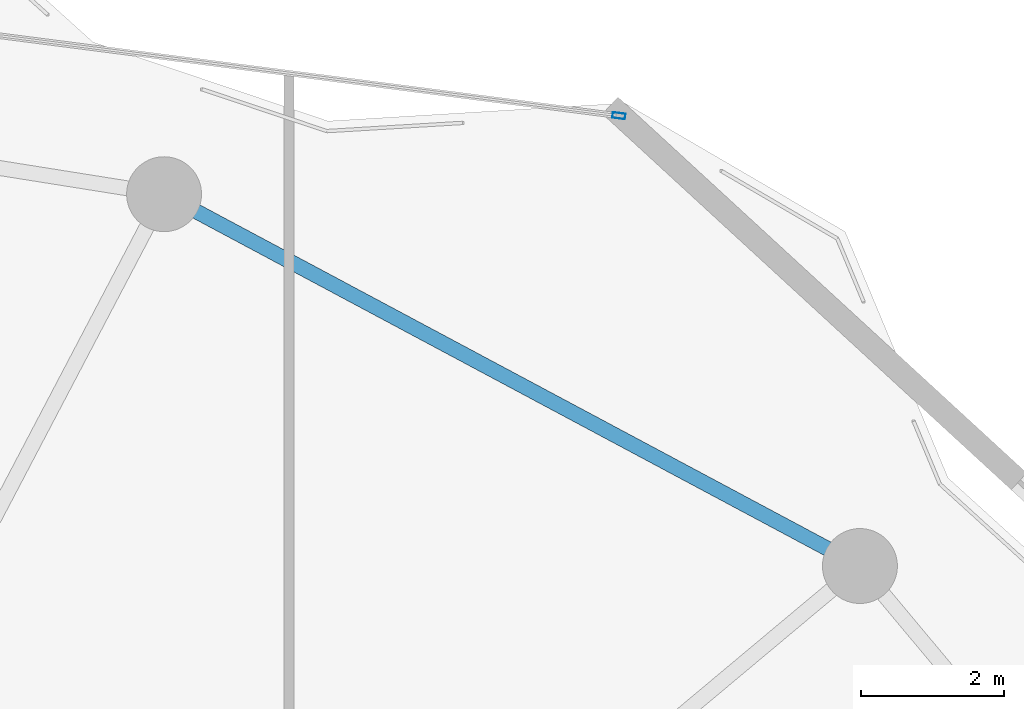
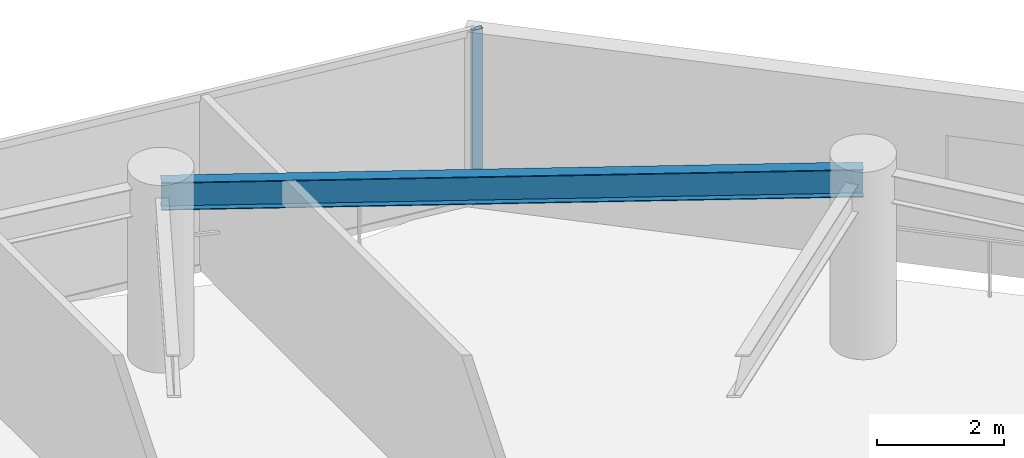
# One storey, part 23 of 31: 1 beam, 1 member, 1 element without a shape of its own.
"""IFC4 building model written with IfcOpenShell, lengths in metres."""

import ifcopenshell
import ifcopenshell.guid

model = None  # the IFC model being written
_history = None  # IfcOwnerHistory: only IFC2X3 demands one
_inside = {}  # id of a spatial element -> (the spatial element, [elements in it])
_under = {}  # id of a project, library or spatial element -> (it, [spatial elements below it])
_declared = {}  # id of a project -> (the project, [libraries it declares])
_typed = {}  # id of a type object -> (the type object, [elements of that type])
_made_of = {}  # id of a material, layer set ... -> (it, [elements and type objects made of it])


def new_model(schema):
    """Start an empty IFC model of exactly this schema.

    Asked for "IFC4X3", IfcOpenShell would pick the latest addendum, in which some entities
    have other attributes; the version numbers below select the first issue.
    IFC2X3 requires an IfcOwnerHistory on every rooted entity: one is made here for all.
    """
    global model, _history
    if schema == "IFC4X3":
        model = ifcopenshell.file(schema_version=(4, 3, 0, 0))
    else:
        model = ifcopenshell.file(schema=schema)
    _inside.clear()
    _under.clear()
    _declared.clear()
    _typed.clear()
    _made_of.clear()
    _history = None
    if model.schema == "IFC2X3":
        org = make("IfcOrganization", Name="unknown")
        user = make(
            "IfcPersonAndOrganization",
            ThePerson=make("IfcPerson", FamilyName="unknown"),
            TheOrganization=org,
        )
        app = make(
            "IfcApplication",
            ApplicationDeveloper=org,
            Version="unknown",
            ApplicationFullName="unknown",
            ApplicationIdentifier="unknown",
        )
        _history = make(
            "IfcOwnerHistory",
            OwningUser=user,
            OwningApplication=app,
            ChangeAction="ADDED",
            CreationDate=0,
        )
    return model


def make(cls, **values):
    """One entity of the class cls with the attributes given. An attribute that is None is left unset."""
    return model.create_entity(
        cls, **{name: value for name, value in values.items() if value is not None}
    )


def rooted(cls, **values):
    """An entity with a GlobalId (a new one), such as an element, a storey or a relation."""
    return make(cls, GlobalId=ifcopenshell.guid.new(), OwnerHistory=_history, **values)


def si_unit(unit_type, name, prefix=None):
    """IfcSIUnit, for example si_unit("LENGTHUNIT", "METRE", prefix="MILLI")."""
    return make("IfcSIUnit", UnitType=unit_type, Prefix=prefix, Name=name)


def assignment(units):
    """IfcUnitAssignment: the units of a project."""
    return None if units is None else make("IfcUnitAssignment", Units=units)


def point(xyz):
    """IfcCartesianPoint."""
    return None if xyz is None else make("IfcCartesianPoint", Coordinates=xyz)


def direction(xyz):
    """IfcDirection."""
    return None if xyz is None else make("IfcDirection", DirectionRatios=xyz)


def frame(location, z_axis=None, x_axis=None):
    """IfcAxis2Placement3D, a coordinate frame: its origin and axes. An axis left out is left unset."""
    return make(
        "IfcAxis2Placement3D",
        Location=point(location),
        Axis=direction(z_axis),
        RefDirection=direction(x_axis),
    )


def frame_2d(location, x_axis=None):
    """IfcAxis2Placement2D, a coordinate frame in the plane: its origin and x axis."""
    return make(
        "IfcAxis2Placement2D", Location=point(location), RefDirection=direction(x_axis)
    )


def origin():
    """The frame at (0, 0, 0) with its axes left unset."""
    return frame((0.0, 0.0, 0.0))


def origin_2d():
    """The frame at (0, 0) in the plane with its x axis left unset."""
    return frame_2d((0.0, 0.0))


def place(relative_to, where):
    """IfcLocalPlacement: puts the frame where relative to a parent placement (None: the world)."""
    return make(
        "IfcLocalPlacement", PlacementRelTo=relative_to, RelativePlacement=where
    )


def context(
    kind, dimensions, precision=None, world=None, true_north=None, identifier=None
):
    """IfcGeometricRepresentationContext, for example the 3D "Model" context."""
    return make(
        "IfcGeometricRepresentationContext",
        ContextIdentifier=identifier,
        ContextType=kind,
        CoordinateSpaceDimension=dimensions,
        Precision=precision,
        WorldCoordinateSystem=world,
        TrueNorth=true_north,
    )


def subcontext(parent, identifier, kind, view, scale=None):
    """IfcGeometricRepresentationSubContext, for example "Body" below "Model"."""
    return make(
        "IfcGeometricRepresentationSubContext",
        ContextIdentifier=identifier,
        ContextType=kind,
        ParentContext=parent,
        TargetScale=scale,
        TargetView=view,
    )


def project(units=None, contexts=None):
    """IfcProject with its units and contexts."""
    return rooted(
        "IfcProject",
        Name="project",
        RepresentationContexts=contexts,
        UnitsInContext=assignment(units),
    )


def spatial(cls, under=None, at=None, **own):
    """A site, building, storey or space (cls), placed at a placement, below another one or the project."""
    s = rooted(cls, ObjectPlacement=at, **own)
    if under is not None:
        _under.setdefault(under.id(), (under, []))[1].append(s)
    return s


def profile(cls, at=None, kind="AREA", **sizes):
    """A parametric profile (cls). Its sizes go by their IFC names, for example OverallWidth=200.0."""
    return make(cls, ProfileType=kind, Position=at, **sizes)


def hollow_rectangle(**sizes):
    """IfcRectangleHollowProfileDef."""
    return profile("IfcRectangleHollowProfileDef", **sizes)


def i_section(**sizes):
    """IfcIShapeProfileDef."""
    return profile("IfcIShapeProfileDef", **sizes)


def extrude(swept, where, along, depth):
    """IfcExtrudedAreaSolid: the profile swept, set in the frame where, extruded along a direction by depth."""
    return make(
        "IfcExtrudedAreaSolid",
        SweptArea=swept,
        Position=where,
        ExtrudedDirection=direction(along),
        Depth=depth,
    )


def shape(context_of_items, identifier, shape_type, items):
    """IfcShapeRepresentation: the items that make up one representation, for example the "Body"."""
    return make(
        "IfcShapeRepresentation",
        ContextOfItems=context_of_items,
        RepresentationIdentifier=identifier,
        RepresentationType=shape_type,
        Items=items,
    )


def material(Name=None, Category=None):
    """IfcMaterial."""
    return make("IfcMaterial", Name=Name, Category=Category)


def layer(
    of_material, thickness, ventilated=None, Name=None, Category=None, Priority=None
):
    """IfcMaterialLayer: one layer of a wall or slab, of a material (None: an air gap)."""
    return make(
        "IfcMaterialLayer",
        Material=of_material,
        LayerThickness=thickness,
        IsVentilated=ventilated,
        Name=Name,
        Category=Category,
        Priority=Priority,
    )


def layer_set(layers, Name=None):
    """IfcMaterialLayerSet."""
    return make("IfcMaterialLayerSet", MaterialLayers=layers, LayerSetName=Name)


def material_profile(
    of_material, cross_section, Name=None, Category=None, Priority=None
):
    """IfcMaterialProfile: a cross section and its material."""
    return make(
        "IfcMaterialProfile",
        Name=Name,
        Material=of_material,
        Profile=cross_section,
        Priority=Priority,
        Category=Category,
    )


def profile_set(profiles, Name=None, composite=None):
    """IfcMaterialProfileSet."""
    return make(
        "IfcMaterialProfileSet",
        Name=Name,
        MaterialProfiles=profiles,
        CompositeProfile=composite,
    )


def made_of(thing, what):
    """Note that an element or type object is made of a material, layer set ...; save() writes the relation."""
    if what is not None:
        _made_of.setdefault(what.id(), (what, []))[1].append(thing)
    return thing


def type_object(cls, material=None, **own):
    """A type object (cls), such as IfcWallType, which elements share."""
    return made_of(rooted(cls, **own), material)


def element(
    cls,
    number,
    at=None,
    inside=None,
    cuts=None,
    type_object=None,
    material=None,
    context=None,
    identifier="Body",
    shape_type=None,
    held_by="IfcProductDefinitionShape",
    body=None,
    shapes=None,
    **own,
):
    """One element of the class cls, such as IfcWall. Its Tag is "e" and its number.

    at: its placement. inside: the storey or other place that contains it. cuts: it is an
    opening in that element (IfcRelVoidsElement). A single representation is given by context,
    identifier, shape_type and body (its items); several are given by shapes. held_by: the class
    of the entity that holds the representations. save() writes the other relations.
    """
    e = rooted(cls, Tag="e%d" % number, ObjectPlacement=at, **own)
    if body is not None:
        shapes = [shape(context, identifier, shape_type, body)]
    if shapes is not None:
        e.Representation = make(held_by, Representations=shapes)
    if inside is not None:
        _inside.setdefault(inside.id(), (inside, []))[1].append(e)
    if cuts is not None:
        rooted(
            "IfcRelVoidsElement", RelatingBuildingElement=cuts, RelatedOpeningElement=e
        )
    if type_object is not None:
        _typed.setdefault(type_object.id(), (type_object, []))[1].append(e)
    return made_of(e, material)


def aggregate(whole, parts):
    """IfcRelAggregates: a whole, such as a stair, and the parts it consists of."""
    return rooted("IfcRelAggregates", RelatingObject=whole, RelatedObjects=parts)


def save(model, path):
    """Write the relations noted so far, then the file.

    IfcRelAggregates (storeys below a building ...), IfcRelContainedInSpatialStructure (elements
    in a storey), IfcRelDefinesByType, IfcRelAssociatesMaterial and IfcRelDeclares: one each for
    every whole, place, type object, material and project.
    """
    for whole, parts in _under.values():
        aggregate(whole, parts)
    for where, things in _inside.values():
        rooted(
            "IfcRelContainedInSpatialStructure",
            RelatedElements=things,
            RelatingStructure=where,
        )
    for kind, things in _typed.values():
        rooted("IfcRelDefinesByType", RelatedObjects=things, RelatingType=kind)
    for what, things in _made_of.values():
        rooted("IfcRelAssociatesMaterial", RelatedObjects=things, RelatingMaterial=what)
    for by, libraries in _declared.values():
        rooted("IfcRelDeclares", RelatingContext=by, RelatedDefinitions=libraries)
    model.write(path)


model = new_model("IFC4")

# Units and contexts
model_context = context("Model", 3, precision=1e-05, world=origin(), true_north=direction((0.0, 1.0)))
body_context = subcontext(model_context, "Body", "Model", "MODEL_VIEW")
ifc_project = project(units=[si_unit("LENGTHUNIT", "METRE"), si_unit("AREAUNIT", "SQUARE_METRE"), si_unit("VOLUMEUNIT", "CUBIC_METRE"), si_unit("PLANEANGLEUNIT", "RADIAN"), si_unit("MASSUNIT", "GRAM", prefix="KILO")], contexts=[model_context])

# Site, building, storey
site_placement = place(None, origin())
site = spatial("IfcSite", under=ifc_project, at=site_placement, CompositionType="ELEMENT")
building_placement = place(site_placement, origin())
building = spatial("IfcBuilding", under=site, at=building_placement, Name="Kazevale Care Tower and Concert Hall", CompositionType="ELEMENT")
storey_placement = place(building_placement, frame((0.0, 0.0, 235.199951171875)))
storey = spatial("IfcBuildingStorey", under=building, at=storey_placement, Name="L62", CompositionType="ELEMENT", Elevation=235.199951171875)

# Curtain wall, member
ifc_material_1 = material(Name="Aluminium 6063-T6 and Low-E Glass", Category="aluminium")
ifc_layer = layer(ifc_material_1, 0.179931640625)
ifc_layer_set = layer_set([ifc_layer], Name="Aluminium 6063-T6 and Low-E Glass")
curtain_wall_type = type_object("IfcCurtainWallType", Name="Waist & Upper Residential Curtain Wall CW-4", PredefinedType="NOTDEFINED", material=ifc_layer_set)
curtain_wall_placement = place(storey_placement, origin())
curtain_wall = element("IfcCurtainWall", 1, at=curtain_wall_placement, inside=storey, type_object=curtain_wall_type, Name="cw:L62:f16", PredefinedType="NOTDEFINED")
ifc_material_2 = material(Name="Aluminium 6063-T6", Category="aluminium")
ifc_material_profile_1 = material_profile(ifc_material_2, hollow_rectangle(XDim=0.080078125, YDim=0.179931640625, WallThickness=0.0048828125, at=origin_2d()), Name="ALU80x180x5")
ifc_profile_set_1 = profile_set([ifc_material_profile_1], Name="Aluminium 6063-T6")
member_type = type_object("IfcMemberType", Name="CW-4 Mullion ALU80x180x5", PredefinedType="MULLION", material=ifc_profile_set_1)
member_placement = place(storey_placement, frame((62.873291015625, 61.319091796875, 0.0), z_axis=(0.0, 0.0, 1.0), x_axis=(0.128098132904, 0.991761497713, 0.0)))
member = element("IfcMember", 2, at=member_placement, type_object=member_type, Name="CW-4 mullion 2", PredefinedType="MULLION", context=body_context, shape_type="SweptSolid", body=[
    extrude(hollow_rectangle(XDim=0.080078125, YDim=0.179931640625, WallThickness=0.0048828125, at=origin_2d()), origin(), (0.0, 0.0, 1.0), 3.360107421875),
])
aggregate(curtain_wall, [member])

# Beam
ifc_material_3 = material(Name="Steel ASTM A572 Gr 50", Category="steel")
ifc_material_profile_2 = material_profile(ifc_material_3, i_section(OverallWidth=0.208984375, OverallDepth=0.532958984375, WebThickness=0.01025390625, FlangeThickness=0.015625, at=origin_2d()), Name="W530x92")
ifc_profile_set_2 = profile_set([ifc_material_profile_2], Name="Steel ASTM A572 Gr 50")
beam_type = type_object("IfcBeamType", Name="Upper Ring Beam W530x92", PredefinedType="BEAM", material=ifc_profile_set_2)
beam_placement = place(storey_placement, frame((66.25, 55.010009765625, 3.093505859375), z_axis=(-0.881978519833, 0.471289603697, 0.0), x_axis=(-0.471289603697, -0.881978519833, 0.0)))
element("IfcBeam", 3, at=beam_placement, inside=storey, type_object=beam_type, Name="beam:L62:ring:03", PredefinedType="BEAM", context=body_context, shape_type="SweptSolid", body=[
    extrude(i_section(OverallWidth=0.208984375, OverallDepth=0.532958984375, WebThickness=0.01025390625, FlangeThickness=0.015625, at=origin_2d()), origin(), (0.0, 0.0, 1.0), 11.0546875),
])

save(model, "model.ifc")
